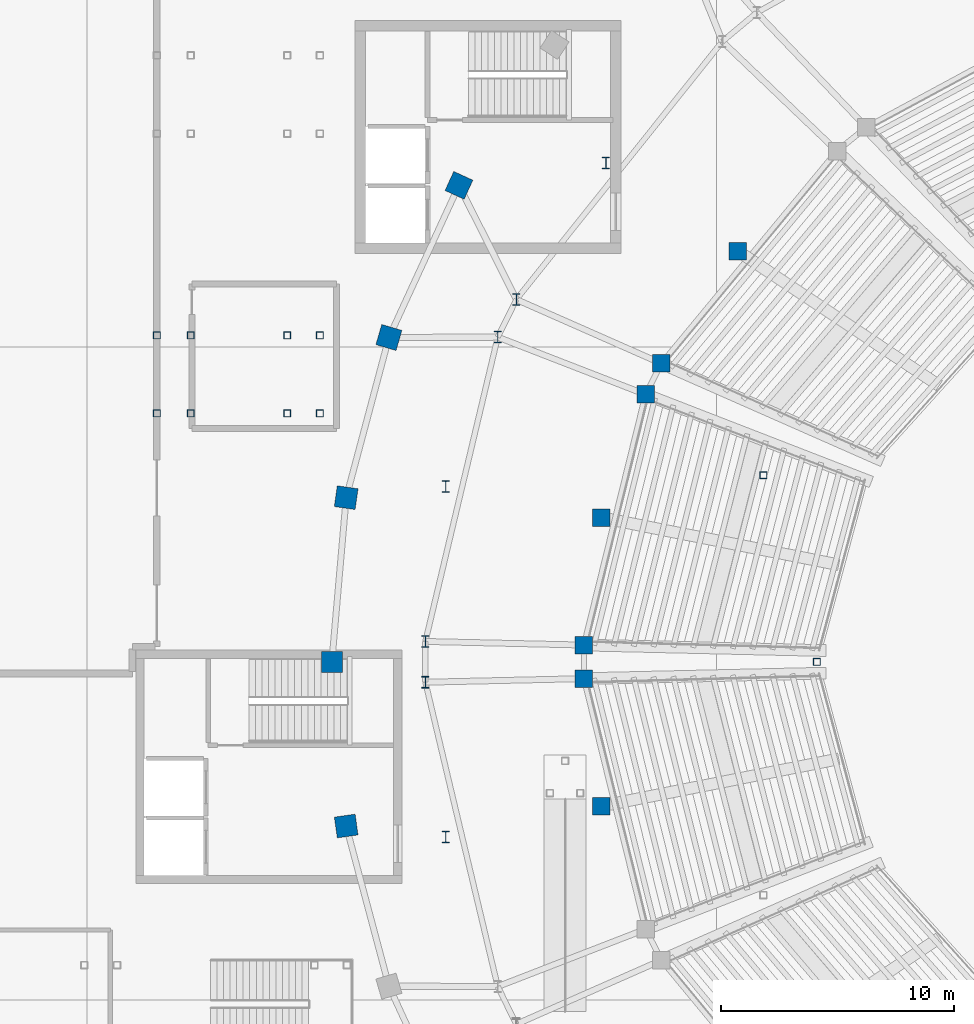
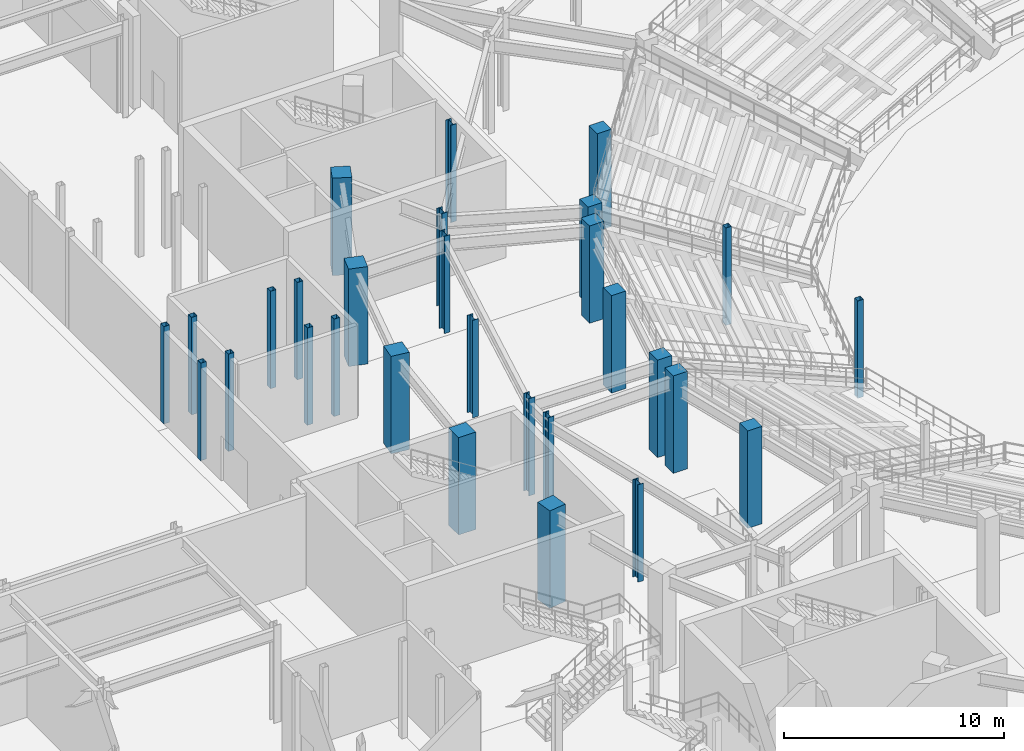
# One storey, part 10 of 79: 29 columns.
"""IFC4 building model written with IfcOpenShell, lengths in metres."""

import ifcopenshell
import ifcopenshell.guid

model = None  # the IFC model being written
_history = None  # IfcOwnerHistory: only IFC2X3 demands one
_inside = {}  # id of a spatial element -> (the spatial element, [elements in it])
_under = {}  # id of a project, library or spatial element -> (it, [spatial elements below it])
_declared = {}  # id of a project -> (the project, [libraries it declares])
_typed = {}  # id of a type object -> (the type object, [elements of that type])
_made_of = {}  # id of a material, layer set ... -> (it, [elements and type objects made of it])


def new_model(schema):
    """Start an empty IFC model of exactly this schema.

    Asked for "IFC4X3", IfcOpenShell would pick the latest addendum, in which some entities
    have other attributes; the version numbers below select the first issue.
    IFC2X3 requires an IfcOwnerHistory on every rooted entity: one is made here for all.
    """
    global model, _history
    if schema == "IFC4X3":
        model = ifcopenshell.file(schema_version=(4, 3, 0, 0))
    else:
        model = ifcopenshell.file(schema=schema)
    _inside.clear()
    _under.clear()
    _declared.clear()
    _typed.clear()
    _made_of.clear()
    _history = None
    if model.schema == "IFC2X3":
        org = make("IfcOrganization", Name="unknown")
        user = make(
            "IfcPersonAndOrganization",
            ThePerson=make("IfcPerson", FamilyName="unknown"),
            TheOrganization=org,
        )
        app = make(
            "IfcApplication",
            ApplicationDeveloper=org,
            Version="unknown",
            ApplicationFullName="unknown",
            ApplicationIdentifier="unknown",
        )
        _history = make(
            "IfcOwnerHistory",
            OwningUser=user,
            OwningApplication=app,
            ChangeAction="ADDED",
            CreationDate=0,
        )
    return model


def make(cls, **values):
    """One entity of the class cls with the attributes given. An attribute that is None is left unset."""
    return model.create_entity(
        cls, **{name: value for name, value in values.items() if value is not None}
    )


def rooted(cls, **values):
    """An entity with a GlobalId (a new one), such as an element, a storey or a relation."""
    return make(cls, GlobalId=ifcopenshell.guid.new(), OwnerHistory=_history, **values)


def si_unit(unit_type, name, prefix=None):
    """IfcSIUnit, for example si_unit("LENGTHUNIT", "METRE", prefix="MILLI")."""
    return make("IfcSIUnit", UnitType=unit_type, Prefix=prefix, Name=name)


def assignment(units):
    """IfcUnitAssignment: the units of a project."""
    return None if units is None else make("IfcUnitAssignment", Units=units)


def point(xyz):
    """IfcCartesianPoint."""
    return None if xyz is None else make("IfcCartesianPoint", Coordinates=xyz)


def direction(xyz):
    """IfcDirection."""
    return None if xyz is None else make("IfcDirection", DirectionRatios=xyz)


def frame(location, z_axis=None, x_axis=None):
    """IfcAxis2Placement3D, a coordinate frame: its origin and axes. An axis left out is left unset."""
    return make(
        "IfcAxis2Placement3D",
        Location=point(location),
        Axis=direction(z_axis),
        RefDirection=direction(x_axis),
    )


def frame_2d(location, x_axis=None):
    """IfcAxis2Placement2D, a coordinate frame in the plane: its origin and x axis."""
    return make(
        "IfcAxis2Placement2D", Location=point(location), RefDirection=direction(x_axis)
    )


def origin():
    """The frame at (0, 0, 0) with its axes left unset."""
    return frame((0.0, 0.0, 0.0))


def origin_2d():
    """The frame at (0, 0) in the plane with its x axis left unset."""
    return frame_2d((0.0, 0.0))


def place(relative_to, where):
    """IfcLocalPlacement: puts the frame where relative to a parent placement (None: the world)."""
    return make(
        "IfcLocalPlacement", PlacementRelTo=relative_to, RelativePlacement=where
    )


def context(
    kind, dimensions, precision=None, world=None, true_north=None, identifier=None
):
    """IfcGeometricRepresentationContext, for example the 3D "Model" context."""
    return make(
        "IfcGeometricRepresentationContext",
        ContextIdentifier=identifier,
        ContextType=kind,
        CoordinateSpaceDimension=dimensions,
        Precision=precision,
        WorldCoordinateSystem=world,
        TrueNorth=true_north,
    )


def subcontext(parent, identifier, kind, view, scale=None):
    """IfcGeometricRepresentationSubContext, for example "Body" below "Model"."""
    return make(
        "IfcGeometricRepresentationSubContext",
        ContextIdentifier=identifier,
        ContextType=kind,
        ParentContext=parent,
        TargetScale=scale,
        TargetView=view,
    )


def project(units=None, contexts=None):
    """IfcProject with its units and contexts."""
    return rooted(
        "IfcProject",
        Name="project",
        RepresentationContexts=contexts,
        UnitsInContext=assignment(units),
    )


def spatial(cls, under=None, at=None, **own):
    """A site, building, storey or space (cls), placed at a placement, below another one or the project."""
    s = rooted(cls, ObjectPlacement=at, **own)
    if under is not None:
        _under.setdefault(under.id(), (under, []))[1].append(s)
    return s


def profile(cls, at=None, kind="AREA", **sizes):
    """A parametric profile (cls). Its sizes go by their IFC names, for example OverallWidth=200.0."""
    return make(cls, ProfileType=kind, Position=at, **sizes)


def rectangle(**sizes):
    """IfcRectangleProfileDef."""
    return profile("IfcRectangleProfileDef", **sizes)


def hollow_rectangle(**sizes):
    """IfcRectangleHollowProfileDef."""
    return profile("IfcRectangleHollowProfileDef", **sizes)


def i_section(**sizes):
    """IfcIShapeProfileDef."""
    return profile("IfcIShapeProfileDef", **sizes)


def extrude(swept, where, along, depth):
    """IfcExtrudedAreaSolid: the profile swept, set in the frame where, extruded along a direction by depth."""
    return make(
        "IfcExtrudedAreaSolid",
        SweptArea=swept,
        Position=where,
        ExtrudedDirection=direction(along),
        Depth=depth,
    )


def shape(context_of_items, identifier, shape_type, items):
    """IfcShapeRepresentation: the items that make up one representation, for example the "Body"."""
    return make(
        "IfcShapeRepresentation",
        ContextOfItems=context_of_items,
        RepresentationIdentifier=identifier,
        RepresentationType=shape_type,
        Items=items,
    )


def material(Name=None, Category=None):
    """IfcMaterial."""
    return make("IfcMaterial", Name=Name, Category=Category)


def material_profile(
    of_material, cross_section, Name=None, Category=None, Priority=None
):
    """IfcMaterialProfile: a cross section and its material."""
    return make(
        "IfcMaterialProfile",
        Name=Name,
        Material=of_material,
        Profile=cross_section,
        Priority=Priority,
        Category=Category,
    )


def profile_set(profiles, Name=None, composite=None):
    """IfcMaterialProfileSet."""
    return make(
        "IfcMaterialProfileSet",
        Name=Name,
        MaterialProfiles=profiles,
        CompositeProfile=composite,
    )


def made_of(thing, what):
    """Note that an element or type object is made of a material, layer set ...; save() writes the relation."""
    if what is not None:
        _made_of.setdefault(what.id(), (what, []))[1].append(thing)
    return thing


def type_object(cls, material=None, **own):
    """A type object (cls), such as IfcWallType, which elements share."""
    return made_of(rooted(cls, **own), material)


def element(
    cls,
    number,
    at=None,
    inside=None,
    cuts=None,
    type_object=None,
    material=None,
    context=None,
    identifier="Body",
    shape_type=None,
    held_by="IfcProductDefinitionShape",
    body=None,
    shapes=None,
    **own,
):
    """One element of the class cls, such as IfcWall. Its Tag is "e" and its number.

    at: its placement. inside: the storey or other place that contains it. cuts: it is an
    opening in that element (IfcRelVoidsElement). A single representation is given by context,
    identifier, shape_type and body (its items); several are given by shapes. held_by: the class
    of the entity that holds the representations. save() writes the other relations.
    """
    e = rooted(cls, Tag="e%d" % number, ObjectPlacement=at, **own)
    if body is not None:
        shapes = [shape(context, identifier, shape_type, body)]
    if shapes is not None:
        e.Representation = make(held_by, Representations=shapes)
    if inside is not None:
        _inside.setdefault(inside.id(), (inside, []))[1].append(e)
    if cuts is not None:
        rooted(
            "IfcRelVoidsElement", RelatingBuildingElement=cuts, RelatedOpeningElement=e
        )
    if type_object is not None:
        _typed.setdefault(type_object.id(), (type_object, []))[1].append(e)
    return made_of(e, material)


def aggregate(whole, parts):
    """IfcRelAggregates: a whole, such as a stair, and the parts it consists of."""
    return rooted("IfcRelAggregates", RelatingObject=whole, RelatedObjects=parts)


def save(model, path):
    """Write the relations noted so far, then the file.

    IfcRelAggregates (storeys below a building ...), IfcRelContainedInSpatialStructure (elements
    in a storey), IfcRelDefinesByType, IfcRelAssociatesMaterial and IfcRelDeclares: one each for
    every whole, place, type object, material and project.
    """
    for whole, parts in _under.values():
        aggregate(whole, parts)
    for where, things in _inside.values():
        rooted(
            "IfcRelContainedInSpatialStructure",
            RelatedElements=things,
            RelatingStructure=where,
        )
    for kind, things in _typed.values():
        rooted("IfcRelDefinesByType", RelatedObjects=things, RelatingType=kind)
    for what, things in _made_of.values():
        rooted("IfcRelAssociatesMaterial", RelatedObjects=things, RelatingMaterial=what)
    for by, libraries in _declared.values():
        rooted("IfcRelDeclares", RelatingContext=by, RelatedDefinitions=libraries)
    model.write(path)


model = new_model("IFC4")

# Units and contexts
model_context = context("Model", 3, precision=1e-05, world=origin(), true_north=direction((0.0, 1.0)))
body_context = subcontext(model_context, "Body", "Model", "MODEL_VIEW")
ifc_project = project(units=[si_unit("LENGTHUNIT", "METRE"), si_unit("AREAUNIT", "SQUARE_METRE"), si_unit("VOLUMEUNIT", "CUBIC_METRE"), si_unit("PLANEANGLEUNIT", "RADIAN"), si_unit("MASSUNIT", "GRAM", prefix="KILO")], contexts=[model_context])

# Site, building, storey
site_placement = place(None, origin())
site = spatial("IfcSite", under=ifc_project, at=site_placement, CompositionType="ELEMENT")
building_placement = place(site_placement, origin())
building = spatial("IfcBuilding", under=site, at=building_placement, Name="Glasvene Arena", CompositionType="ELEMENT")
storey_placement = place(building_placement, origin())
storey = spatial("IfcBuildingStorey", under=building, at=storey_placement, Name="L00", CompositionType="ELEMENT", Elevation=0.0)

# Columns
ifc_material_1 = material(Name="Concrete C40/50", Category="concrete")
ifc_material_profile_1 = material_profile(ifc_material_1, rectangle(XDim=0.89990234375, YDim=0.89990234375, at=origin_2d()), Name="RC 900x900")
ifc_profile_set_1 = profile_set([ifc_material_profile_1], Name="Concrete C40/50")
column_type_1 = type_object("IfcColumnType", Name="COL-BOWL-RC900", PredefinedType="COLUMN", material=ifc_profile_set_1)
for number, where, z_axis, x_axis, name in (
    (1, (47.44970703125, 93.4296875, 0.0), (0.0, 0.0, 1.0), (-0.909018020308, 0.416756810089, 0.0), "Bowl ring column R18 L00"),
    (2, (44.447265625, 86.90576171875, 0.0), (0.0, 0.0, 1.0), (-0.959805291975, 0.280666708921, 0.0), "Bowl ring column R19 L00"),
    (3, (42.615478515625, 80.03955078125, 0.0), (0.0, 0.0, 1.0), (-0.989999050734, 0.141074021516, 0.0), "Bowl ring column R20 L00"),
    (4, (42.0, 73.0, 0.0), (0.0, 0.0, 1.0), (-1.0, 0.0, 0.0), "Bowl ring column R21 L00"),
    (5, (42.615478515625, 65.96044921875, 0.0), (0.0, 0.0, 1.0), (-0.989999050734, -0.141074021516, 0.0), "Bowl ring column R22 L00"),
):
    element("IfcColumn", number, at=place(storey_placement, frame(where, z_axis=z_axis, x_axis=x_axis)), inside=storey, type_object=column_type_1, Name=name, PredefinedType="COLUMN", context=body_context, shape_type="SweptSolid", body=[
        extrude(rectangle(XDim=0.89990234375, YDim=0.89990234375, at=origin_2d()), origin(), (0.0, 0.0, 1.0), 5.39990234375),
    ])
ifc_material_profile_2 = material_profile(ifc_material_1, rectangle(XDim=0.75, YDim=0.75, at=origin_2d()), Name="RC 750x750")
ifc_profile_set_2 = profile_set([ifc_material_profile_2], Name="Concrete C40/50")
column_type_2 = type_object("IfcColumnType", Name="COL-MID-RC750", PredefinedType="COLUMN", material=ifc_profile_set_2)
for number, where, z_axis, x_axis, name in (
    (6, (56.133544921875, 85.79248046875, 0.0), (0.0, 0.0, 1.0), (1.0, 0.0, 0.0), "Mid-bowl fulcrum column L00 07-2"),
    (7, (55.452880859375, 84.46337890625, 0.0), (0.0, 0.0, 1.0), (1.0, 0.0, 0.0), "Mid-bowl fulcrum column L00 08-1"),
    (8, (52.81005859375, 73.71923828125, 0.0), (0.0, 0.0, 1.0), (1.0, 0.0, 0.0), "Mid-bowl fulcrum column L00 08-2"),
    (9, (52.81005859375, 72.28076171875, 0.0), (0.0, 0.0, 1.0), (1.0, 0.0, 0.0), "Mid-bowl fulcrum column L00 09-1"),
    (10, (59.406494140625, 90.611572265625, 0.0), (0.0, 0.0, 1.0), (1.0, 0.0, 0.0), "Mid-sector fulcrum column L00 07"),
    (11, (53.55322265625, 79.184326171875, 0.0), (0.0, 0.0, 1.0), (1.0, 0.0, 0.0), "Mid-sector fulcrum column L00 08"),
    (12, (53.55322265625, 66.815673828125, 0.0), (0.0, 0.0, 1.0), (1.0, 0.0, 0.0), "Mid-sector fulcrum column L00 09"),
):
    element("IfcColumn", number, at=place(storey_placement, frame(where, z_axis=z_axis, x_axis=x_axis)), inside=storey, type_object=column_type_2, Name=name, PredefinedType="COLUMN", context=body_context, shape_type="SweptSolid", body=[
        extrude(rectangle(XDim=0.75, YDim=0.75, at=origin_2d()), origin(), (0.0, 0.0, 1.0), 5.39990234375),
    ])
ifc_material_2 = material(Name="Steel S355J2", Category="steel")
ifc_material_profile_3 = material_profile(ifc_material_2, i_section(OverallWidth=0.300048828125, OverallDepth=0.5, WebThickness=0.014404296875, FlangeThickness=0.028076171875, FilletRadius=0.027099609375, at=origin_2d()), Name="HEB 500")
ifc_profile_set_3 = profile_set([ifc_material_profile_3], Name="Steel S355J2")
column_type_3 = type_object("IfcColumnType", Name="COL-W-HEB500", PredefinedType="COLUMN", material=ifc_profile_set_3)
for number, where, z_axis, x_axis, name in (
    (13, (49.911865234375, 88.53662109375, 0.0), (0.0, 0.0, 1.0), (1.0, 0.0, 0.0), "Upper raker rear column L00 07-2"),
    (14, (49.113037109375, 86.922607421875, 0.0), (0.0, 0.0, 1.0), (1.0, 0.0, 0.0), "Upper raker rear column L00 08-1"),
    (15, (46.01171875, 73.87353515625, 0.0), (0.0, 0.0, 1.0), (1.0, 0.0, 0.0), "Upper raker rear column L00 08-2"),
    (16, (46.01171875, 72.12646484375, 0.0), (0.0, 0.0, 1.0), (1.0, 0.0, 0.0), "Upper raker rear column L00 09-1"),
    (17, (53.75244140625, 94.389404296875, 0.0), (0.0, 0.0, 1.0), (1.0, 0.0, 0.0), "Mid-sector rear raker column L00 07"),
    (18, (46.8837890625, 80.510986328125, 0.0), (0.0, 0.0, 1.0), (1.0, 0.0, 0.0), "Mid-sector rear raker column L00 08"),
    (19, (46.8837890625, 65.489013671875, 0.0), (0.0, 0.0, 1.0), (1.0, 0.0, 0.0), "Mid-sector rear raker column L00 09"),
):
    element("IfcColumn", number, at=place(storey_placement, frame(where, z_axis=z_axis, x_axis=x_axis)), inside=storey, type_object=column_type_3, Name=name, PredefinedType="COLUMN", context=body_context, shape_type="SweptSolid", body=[
        extrude(i_section(OverallWidth=0.300048828125, OverallDepth=0.5, WebThickness=0.014404296875, FlangeThickness=0.028076171875, FilletRadius=0.027099609375, at=origin_2d()), origin(), (0.0, 0.0, 1.0), 5.39990234375),
    ])
ifc_material_profile_4 = material_profile(ifc_material_2, hollow_rectangle(XDim=0.300048828125, YDim=0.300048828125, WallThickness=0.012451171875, at=origin_2d()), Name="SHS 300x300x12.5")
ifc_profile_set_4 = profile_set([ifc_material_profile_4], Name="Steel S355J2")
column_type_4 = type_object("IfcColumnType", Name="COL-W-SHS300", PredefinedType="COLUMN", material=ifc_profile_set_4)
for number, where, z_axis, x_axis, name in (
    (20, (60.5, 81.0, 0.0), (0.0, 0.0, 1.0), (1.0, 0.0, 0.0), "Sector 3-3 support column L00-2"),
    (21, (62.800048828125, 73.0, 0.0), (0.0, 0.0, 1.0), (1.0, 0.0, 0.0), "Sector 3-3 support column L00-3"),
    (22, (34.5, 83.64990234375, 0.0), (0.0, 0.0, 1.0), (1.0, 0.0, 0.0), "Vomitory arrival support column VOM-07 L00"),
    (23, (34.5, 87.0, 0.0), (0.0, 0.0, 1.0), (1.0, 0.0, 0.0), "Vomitory arrival support column VOM-07 L00"),
    (24, (35.949951171875, 83.64990234375, 0.0), (0.0, 0.0, 1.0), (1.0, 0.0, 0.0), "Vomitory arrival support column VOM-07 L00"),
    (25, (35.949951171875, 87.0, 0.0), (0.0, 0.0, 1.0), (1.0, 0.0, 0.0), "Vomitory arrival support column VOM-07 L00"),
    (26, (40.090087890625, 83.64990234375, 0.0), (0.0, 0.0, 1.0), (1.0, 0.0, 0.0), "Vomitory landing column VOM-07 L00"),
    (27, (40.090087890625, 87.0, 0.0), (0.0, 0.0, 1.0), (1.0, 0.0, 0.0), "Vomitory landing column VOM-07 L00"),
    (28, (41.489990234375, 83.64990234375, 0.0), (0.0, 0.0, 1.0), (1.0, 0.0, 0.0), "Vomitory landing column VOM-07 L00"),
    (29, (41.489990234375, 87.0, 0.0), (0.0, 0.0, 1.0), (1.0, 0.0, 0.0), "Vomitory landing column VOM-07 L00"),
):
    element("IfcColumn", number, at=place(storey_placement, frame(where, z_axis=z_axis, x_axis=x_axis)), inside=storey, type_object=column_type_4, Name=name, PredefinedType="COLUMN", context=body_context, shape_type="SweptSolid", body=[
        extrude(hollow_rectangle(XDim=0.300048828125, YDim=0.300048828125, WallThickness=0.012451171875, at=origin_2d()), origin(), (0.0, 0.0, 1.0), 5.39990234375),
    ])

save(model, "model.ifc")
